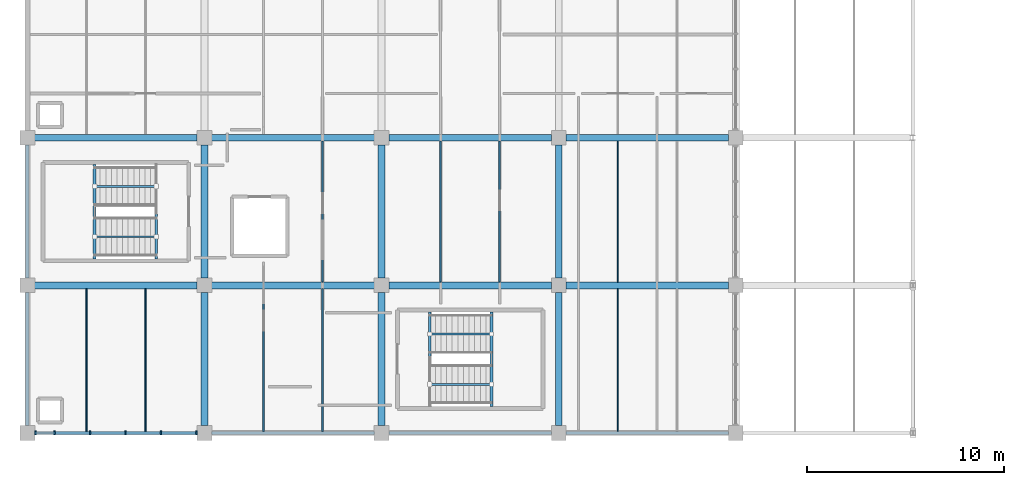
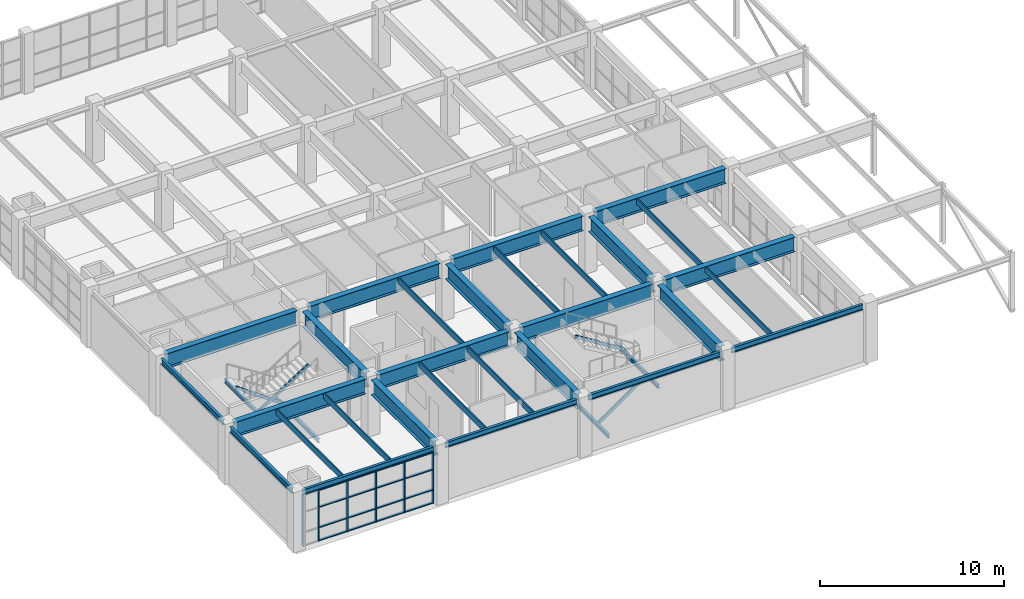
# One storey, part 11 of 76: 33 beams, 26 members, 1 element without a shape of its own.
"""IFC4 building model written with IfcOpenShell, lengths in metres."""

import ifcopenshell
import ifcopenshell.guid

model = None  # the IFC model being written
_history = None  # IfcOwnerHistory: only IFC2X3 demands one
_inside = {}  # id of a spatial element -> (the spatial element, [elements in it])
_under = {}  # id of a project, library or spatial element -> (it, [spatial elements below it])
_declared = {}  # id of a project -> (the project, [libraries it declares])
_typed = {}  # id of a type object -> (the type object, [elements of that type])
_made_of = {}  # id of a material, layer set ... -> (it, [elements and type objects made of it])


def new_model(schema):
    """Start an empty IFC model of exactly this schema.

    Asked for "IFC4X3", IfcOpenShell would pick the latest addendum, in which some entities
    have other attributes; the version numbers below select the first issue.
    IFC2X3 requires an IfcOwnerHistory on every rooted entity: one is made here for all.
    """
    global model, _history
    if schema == "IFC4X3":
        model = ifcopenshell.file(schema_version=(4, 3, 0, 0))
    else:
        model = ifcopenshell.file(schema=schema)
    _inside.clear()
    _under.clear()
    _declared.clear()
    _typed.clear()
    _made_of.clear()
    _history = None
    if model.schema == "IFC2X3":
        org = make("IfcOrganization", Name="unknown")
        user = make(
            "IfcPersonAndOrganization",
            ThePerson=make("IfcPerson", FamilyName="unknown"),
            TheOrganization=org,
        )
        app = make(
            "IfcApplication",
            ApplicationDeveloper=org,
            Version="unknown",
            ApplicationFullName="unknown",
            ApplicationIdentifier="unknown",
        )
        _history = make(
            "IfcOwnerHistory",
            OwningUser=user,
            OwningApplication=app,
            ChangeAction="ADDED",
            CreationDate=0,
        )
    return model


def make(cls, **values):
    """One entity of the class cls with the attributes given. An attribute that is None is left unset."""
    return model.create_entity(
        cls, **{name: value for name, value in values.items() if value is not None}
    )


def rooted(cls, **values):
    """An entity with a GlobalId (a new one), such as an element, a storey or a relation."""
    return make(cls, GlobalId=ifcopenshell.guid.new(), OwnerHistory=_history, **values)


def si_unit(unit_type, name, prefix=None):
    """IfcSIUnit, for example si_unit("LENGTHUNIT", "METRE", prefix="MILLI")."""
    return make("IfcSIUnit", UnitType=unit_type, Prefix=prefix, Name=name)


def assignment(units):
    """IfcUnitAssignment: the units of a project."""
    return None if units is None else make("IfcUnitAssignment", Units=units)


def point(xyz):
    """IfcCartesianPoint."""
    return None if xyz is None else make("IfcCartesianPoint", Coordinates=xyz)


def direction(xyz):
    """IfcDirection."""
    return None if xyz is None else make("IfcDirection", DirectionRatios=xyz)


def frame(location, z_axis=None, x_axis=None):
    """IfcAxis2Placement3D, a coordinate frame: its origin and axes. An axis left out is left unset."""
    return make(
        "IfcAxis2Placement3D",
        Location=point(location),
        Axis=direction(z_axis),
        RefDirection=direction(x_axis),
    )


def frame_2d(location, x_axis=None):
    """IfcAxis2Placement2D, a coordinate frame in the plane: its origin and x axis."""
    return make(
        "IfcAxis2Placement2D", Location=point(location), RefDirection=direction(x_axis)
    )


def origin():
    """The frame at (0, 0, 0) with its axes left unset."""
    return frame((0.0, 0.0, 0.0))


def origin_2d():
    """The frame at (0, 0) in the plane with its x axis left unset."""
    return frame_2d((0.0, 0.0))


def place(relative_to, where):
    """IfcLocalPlacement: puts the frame where relative to a parent placement (None: the world)."""
    return make(
        "IfcLocalPlacement", PlacementRelTo=relative_to, RelativePlacement=where
    )


def context(
    kind, dimensions, precision=None, world=None, true_north=None, identifier=None
):
    """IfcGeometricRepresentationContext, for example the 3D "Model" context."""
    return make(
        "IfcGeometricRepresentationContext",
        ContextIdentifier=identifier,
        ContextType=kind,
        CoordinateSpaceDimension=dimensions,
        Precision=precision,
        WorldCoordinateSystem=world,
        TrueNorth=true_north,
    )


def subcontext(parent, identifier, kind, view, scale=None):
    """IfcGeometricRepresentationSubContext, for example "Body" below "Model"."""
    return make(
        "IfcGeometricRepresentationSubContext",
        ContextIdentifier=identifier,
        ContextType=kind,
        ParentContext=parent,
        TargetScale=scale,
        TargetView=view,
    )


def project(units=None, contexts=None):
    """IfcProject with its units and contexts."""
    return rooted(
        "IfcProject",
        Name="project",
        RepresentationContexts=contexts,
        UnitsInContext=assignment(units),
    )


def spatial(cls, under=None, at=None, **own):
    """A site, building, storey or space (cls), placed at a placement, below another one or the project."""
    s = rooted(cls, ObjectPlacement=at, **own)
    if under is not None:
        _under.setdefault(under.id(), (under, []))[1].append(s)
    return s


def profile(cls, at=None, kind="AREA", **sizes):
    """A parametric profile (cls). Its sizes go by their IFC names, for example OverallWidth=200.0."""
    return make(cls, ProfileType=kind, Position=at, **sizes)


def rectangle(**sizes):
    """IfcRectangleProfileDef."""
    return profile("IfcRectangleProfileDef", **sizes)


def hollow_rectangle(**sizes):
    """IfcRectangleHollowProfileDef."""
    return profile("IfcRectangleHollowProfileDef", **sizes)


def i_section(**sizes):
    """IfcIShapeProfileDef."""
    return profile("IfcIShapeProfileDef", **sizes)


def extrude(swept, where, along, depth):
    """IfcExtrudedAreaSolid: the profile swept, set in the frame where, extruded along a direction by depth."""
    return make(
        "IfcExtrudedAreaSolid",
        SweptArea=swept,
        Position=where,
        ExtrudedDirection=direction(along),
        Depth=depth,
    )


def shape(context_of_items, identifier, shape_type, items):
    """IfcShapeRepresentation: the items that make up one representation, for example the "Body"."""
    return make(
        "IfcShapeRepresentation",
        ContextOfItems=context_of_items,
        RepresentationIdentifier=identifier,
        RepresentationType=shape_type,
        Items=items,
    )


def material(Name=None, Category=None):
    """IfcMaterial."""
    return make("IfcMaterial", Name=Name, Category=Category)


def layer(
    of_material, thickness, ventilated=None, Name=None, Category=None, Priority=None
):
    """IfcMaterialLayer: one layer of a wall or slab, of a material (None: an air gap)."""
    return make(
        "IfcMaterialLayer",
        Material=of_material,
        LayerThickness=thickness,
        IsVentilated=ventilated,
        Name=Name,
        Category=Category,
        Priority=Priority,
    )


def layer_set(layers, Name=None):
    """IfcMaterialLayerSet."""
    return make("IfcMaterialLayerSet", MaterialLayers=layers, LayerSetName=Name)


def material_profile(
    of_material, cross_section, Name=None, Category=None, Priority=None
):
    """IfcMaterialProfile: a cross section and its material."""
    return make(
        "IfcMaterialProfile",
        Name=Name,
        Material=of_material,
        Profile=cross_section,
        Priority=Priority,
        Category=Category,
    )


def profile_set(profiles, Name=None, composite=None):
    """IfcMaterialProfileSet."""
    return make(
        "IfcMaterialProfileSet",
        Name=Name,
        MaterialProfiles=profiles,
        CompositeProfile=composite,
    )


def made_of(thing, what):
    """Note that an element or type object is made of a material, layer set ...; save() writes the relation."""
    if what is not None:
        _made_of.setdefault(what.id(), (what, []))[1].append(thing)
    return thing


def type_object(cls, material=None, **own):
    """A type object (cls), such as IfcWallType, which elements share."""
    return made_of(rooted(cls, **own), material)


def element(
    cls,
    number,
    at=None,
    inside=None,
    cuts=None,
    type_object=None,
    material=None,
    context=None,
    identifier="Body",
    shape_type=None,
    held_by="IfcProductDefinitionShape",
    body=None,
    shapes=None,
    **own,
):
    """One element of the class cls, such as IfcWall. Its Tag is "e" and its number.

    at: its placement. inside: the storey or other place that contains it. cuts: it is an
    opening in that element (IfcRelVoidsElement). A single representation is given by context,
    identifier, shape_type and body (its items); several are given by shapes. held_by: the class
    of the entity that holds the representations. save() writes the other relations.
    """
    e = rooted(cls, Tag="e%d" % number, ObjectPlacement=at, **own)
    if body is not None:
        shapes = [shape(context, identifier, shape_type, body)]
    if shapes is not None:
        e.Representation = make(held_by, Representations=shapes)
    if inside is not None:
        _inside.setdefault(inside.id(), (inside, []))[1].append(e)
    if cuts is not None:
        rooted(
            "IfcRelVoidsElement", RelatingBuildingElement=cuts, RelatedOpeningElement=e
        )
    if type_object is not None:
        _typed.setdefault(type_object.id(), (type_object, []))[1].append(e)
    return made_of(e, material)


def aggregate(whole, parts):
    """IfcRelAggregates: a whole, such as a stair, and the parts it consists of."""
    return rooted("IfcRelAggregates", RelatingObject=whole, RelatedObjects=parts)


def save(model, path):
    """Write the relations noted so far, then the file.

    IfcRelAggregates (storeys below a building ...), IfcRelContainedInSpatialStructure (elements
    in a storey), IfcRelDefinesByType, IfcRelAssociatesMaterial and IfcRelDeclares: one each for
    every whole, place, type object, material and project.
    """
    for whole, parts in _under.values():
        aggregate(whole, parts)
    for where, things in _inside.values():
        rooted(
            "IfcRelContainedInSpatialStructure",
            RelatedElements=things,
            RelatingStructure=where,
        )
    for kind, things in _typed.values():
        rooted("IfcRelDefinesByType", RelatedObjects=things, RelatingType=kind)
    for what, things in _made_of.values():
        rooted("IfcRelAssociatesMaterial", RelatedObjects=things, RelatingMaterial=what)
    for by, libraries in _declared.values():
        rooted("IfcRelDeclares", RelatingContext=by, RelatedDefinitions=libraries)
    model.write(path)


model = new_model("IFC4")

# Units and contexts
model_context = context("Model", 3, precision=1e-05, world=origin(), true_north=direction((0.0, 1.0)))
body_context = subcontext(model_context, "Body", "Model", "MODEL_VIEW")
ifc_project = project(units=[si_unit("LENGTHUNIT", "METRE"), si_unit("AREAUNIT", "SQUARE_METRE"), si_unit("VOLUMEUNIT", "CUBIC_METRE"), si_unit("PLANEANGLEUNIT", "RADIAN"), si_unit("MASSUNIT", "GRAM", prefix="KILO")], contexts=[model_context])

# Site, building, storey
site_placement = place(None, origin())
site = spatial("IfcSite", under=ifc_project, at=site_placement, CompositionType="ELEMENT")
building_placement = place(site_placement, origin())
building = spatial("IfcBuilding", under=site, at=building_placement, Name="Marnridge Secondary College", CompositionType="ELEMENT")
storey_placement = place(building_placement, frame((0.0, 0.0, 4.5)))
storey = spatial("IfcBuildingStorey", under=building, at=storey_placement, Name="L01", CompositionType="ELEMENT", Elevation=4.5)

# Beams
ifc_material_1 = material(Name="Engineered timber LVL E13.2", Category="wood")
ifc_material_profile_1 = material_profile(ifc_material_1, rectangle(XDim=0.074951171875, YDim=0.39990234375, at=origin_2d()), Name="LVL 75x400")
ifc_profile_set_1 = profile_set([ifc_material_profile_1], Name="Engineered timber LVL E13.2")
beam_type_1 = type_object("IfcBeamType", Name="BM-LVL400-INT", PredefinedType="JOIST", material=ifc_profile_set_1)
for number, where, z_axis, x_axis, name in (
    (1, (3.0, 0.07958984375, 3.570068359375), (0.0, 1.0, 0.0), (-1.0, 0.0, 0.0), "Beam BJ-L01-0713"),
    (2, (6.0, 0.07958984375, 3.570068359375), (0.0, 1.0, 0.0), (-1.0, 0.0, 0.0), "Beam BJ-L01-0714"),
    (3, (12.0, 0.07958984375, 3.570068359375), (0.0, 1.0, 0.0), (-1.0, 0.0, 0.0), "Beam BJ-L01-0719"),
    (4, (15.0, 0.07958984375, 3.570068359375), (0.0, 1.0, 0.0), (-1.0, 0.0, 0.0), "Beam BJ-L01-0720"),
):
    element("IfcBeam", number, at=place(storey_placement, frame(where, z_axis=z_axis, x_axis=x_axis)), inside=storey, type_object=beam_type_1, Name=name, PredefinedType="JOIST", context=body_context, shape_type="SweptSolid", body=[
        extrude(rectangle(XDim=0.074951171875, YDim=0.39990234375, at=origin_2d()), origin(), (0.0, 0.0, 1.0), 7.25146484375),
    ])
for number, where, z_axis, x_axis, name in (
    (5, (15.0, 7.6689453125, 3.570068359375), (0.0, 1.0, 0.0), (-1.0, 0.0, 0.0), "Beam BJ-L01-0721"),
    (6, (21.0, 7.6689453125, 3.570068359375), (0.0, 1.0, 0.0), (-1.0, 0.0, 0.0), "Beam BJ-L01-0726"),
    (7, (24.0, 7.6689453125, 3.570068359375), (0.0, 1.0, 0.0), (-1.0, 0.0, 0.0), "Beam BJ-L01-0727"),
):
    element("IfcBeam", number, at=place(storey_placement, frame(where, z_axis=z_axis, x_axis=x_axis)), inside=storey, type_object=beam_type_1, Name=name, PredefinedType="JOIST", context=body_context, shape_type="SweptSolid", body=[
        extrude(rectangle(XDim=0.074951171875, YDim=0.39990234375, at=origin_2d()), origin(), (0.0, 0.0, 1.0), 7.162109375),
    ])
beam_1_placement = place(storey_placement, frame((30.0, 0.07958984375, 3.570068359375), z_axis=(0.0, 1.0, 0.0), x_axis=(-1.0, 0.0, 0.0)))
element("IfcBeam", 8, at=beam_1_placement, inside=storey, type_object=beam_type_1, Name="Beam BJ-L01-0732", PredefinedType="JOIST", context=body_context, shape_type="SweptSolid", body=[
    extrude(rectangle(XDim=0.074951171875, YDim=0.39990234375, at=origin_2d()), origin(), (0.0, 0.0, 1.0), 7.25146484375),
])
beam_2_placement = place(storey_placement, frame((30.0, 7.6689453125, 3.570068359375), z_axis=(0.0, 1.0, 0.0), x_axis=(-1.0, 0.0, 0.0)))
element("IfcBeam", 9, at=beam_2_placement, inside=storey, type_object=beam_type_1, Name="Beam BJ-L01-0734", PredefinedType="JOIST", context=body_context, shape_type="SweptSolid", body=[
    extrude(rectangle(XDim=0.074951171875, YDim=0.39990234375, at=origin_2d()), origin(), (0.0, 0.0, 1.0), 7.162109375),
])
ifc_material_2 = material(Name="Structural steel Grade 350 (AS/NZS 3679.1/.2, fy = 340-360 MPa)", Category="steel")
ifc_material_profile_2 = material_profile(ifc_material_2, i_section(OverallWidth=0.146240234375, OverallDepth=0.256103515625, WebThickness=0.00634765625, FlangeThickness=0.010986328125, FilletRadius=0.0087890625, at=origin_2d()), Name="250UB37.3")
ifc_profile_set_2 = profile_set([ifc_material_profile_2], Name="Structural steel Grade 350 (AS/NZS 3679.1/.2, fy = 340-360 MPa)")
beam_type_2 = type_object("IfcBeamType", Name="BM-UB250-EXT", PredefinedType="LINTEL", material=ifc_profile_set_2)
for number, where, z_axis, x_axis, name in (
    (10, (6.550048828125, 8.842041015625, -0.5380859375), (0.0, 1.0, 0.0), (-1.0, 0.0, 0.0), "Stair landing trimmer beam BT-L01-022"),
    (11, (3.4150390625, 8.842041015625, 1.671875), (0.0, 1.0, 0.0), (-1.0, 0.0, 0.0), "Stair landing trimmer beam BT-L01-023"),
    (12, (20.449951171875, 1.342041015625, -0.5380859375), (0.0, 1.0, 0.0), (-1.0, 0.0, 0.0), "Stair landing trimmer beam BT-L01-030"),
    (13, (23.5849609375, 1.342041015625, 1.671875), (0.0, 1.0, 0.0), (-1.0, 0.0, 0.0), "Stair landing trimmer beam BT-L01-031"),
):
    element("IfcBeam", number, at=place(storey_placement, frame(where, z_axis=z_axis, x_axis=x_axis)), inside=storey, type_object=beam_type_2, Name=name, PredefinedType="LINTEL", context=body_context, shape_type="SweptSolid", body=[
        extrude(i_section(OverallWidth=0.146240234375, OverallDepth=0.256103515625, WebThickness=0.00634765625, FlangeThickness=0.010986328125, FilletRadius=0.0087890625, at=origin_2d()), origin(), (0.0, 0.0, 1.0), 4.802978515625),
    ])
ifc_material_3 = material(Name="Structural steel Grade 350 (AS/NZS 3679.1/.2, fy = 340-360 MPa)", Category="steel")
ifc_material_profile_3 = material_profile(ifc_material_3, i_section(OverallWidth=0.1708984375, OverallDepth=0.35205078125, WebThickness=0.0068359375, FlangeThickness=0.009765625, FilletRadius=0.011474609375, at=origin_2d()), Name="360UB44.7")
ifc_profile_set_3 = profile_set([ifc_material_profile_3], Name="Structural steel Grade 350 (AS/NZS 3679.1/.2, fy = 340-360 MPa)")
beam_type_3 = type_object("IfcBeamType", Name="BM-UB360-EXT", PredefinedType="SPANDREL", material=ifc_profile_set_3)
beam_3_placement = place(storey_placement, frame((0.368896484375, 0.0, 3.593994140625), z_axis=(1.0, 0.0, 0.0), x_axis=(0.0, 1.0, 0.0)))
element("IfcBeam", 14, at=beam_3_placement, inside=storey, type_object=beam_type_3, Name="Beam BS-L01-0655", PredefinedType="SPANDREL", context=body_context, shape_type="SweptSolid", body=[
    extrude(i_section(OverallWidth=0.1708984375, OverallDepth=0.35205078125, WebThickness=0.0068359375, FlangeThickness=0.009765625, FilletRadius=0.011474609375, at=origin_2d()), origin(), (0.0, 0.0, 1.0), 8.26220703125),
])
for number, where, z_axis, x_axis, name in (
    (15, (0.0, 0.368896484375, 3.593994140625), (0.0, 1.0, 0.0), (-1.0, 0.0, 0.0), "Beam BS-L01-0657"),
    (16, (0.0, 7.868896484375, 3.593994140625), (0.0, 1.0, 0.0), (-1.0, 0.0, 0.0), "Beam BS-L01-0660"),
):
    element("IfcBeam", number, at=place(storey_placement, frame(where, z_axis=z_axis, x_axis=x_axis)), inside=storey, type_object=beam_type_3, Name=name, PredefinedType="SPANDREL", context=body_context, shape_type="SweptSolid", body=[
        extrude(i_section(OverallWidth=0.1708984375, OverallDepth=0.35205078125, WebThickness=0.0068359375, FlangeThickness=0.009765625, FilletRadius=0.011474609375, at=origin_2d()), origin(), (0.0, 0.0, 1.0), 6.76220703125),
    ])
for number, where, z_axis, x_axis, name in (
    (17, (9.368896484375, 0.0, 3.593994140625), (1.0, 0.0, 0.0), (0.0, 1.0, 0.0), "Beam BS-L01-0668"),
    (18, (18.368896484375, 0.0, 3.593994140625), (1.0, 0.0, 0.0), (0.0, 1.0, 0.0), "Beam BS-L01-0677"),
    (19, (27.368896484375, 0.0, 3.593994140625), (1.0, 0.0, 0.0), (0.0, 1.0, 0.0), "Beam BS-L01-0686"),
):
    element("IfcBeam", number, at=place(storey_placement, frame(where, z_axis=z_axis, x_axis=x_axis)), inside=storey, type_object=beam_type_3, Name=name, PredefinedType="SPANDREL", context=body_context, shape_type="SweptSolid", body=[
        extrude(i_section(OverallWidth=0.1708984375, OverallDepth=0.35205078125, WebThickness=0.0068359375, FlangeThickness=0.009765625, FilletRadius=0.011474609375, at=origin_2d()), origin(), (0.0, 0.0, 1.0), 8.26220703125),
    ])
ifc_material_4 = material(Name="Structural steel Grade 350 (AS/NZS 3679.1/.2, fy = 340-360 MPa)", Category="steel")
ifc_material_profile_4 = material_profile(ifc_material_4, i_section(OverallWidth=0.35009765625, OverallDepth=0.989990234375, WebThickness=0.01611328125, FlangeThickness=0.02490234375, at=origin_2d()), Name="1000WB258")
ifc_profile_set_4 = profile_set([ifc_material_profile_4], Name="Structural steel Grade 350 (AS/NZS 3679.1/.2, fy = 340-360 MPa)")
beam_type_4 = type_object("IfcBeamType", Name="BM-WB1000-INT", PredefinedType="BEAM", material=ifc_profile_set_4)
beam_4_placement = place(storey_placement, frame((0.368896484375, 7.5, 3.27490234375), z_axis=(1.0, 0.0, 0.0), x_axis=(0.0, 1.0, 0.0)))
element("IfcBeam", 20, at=beam_4_placement, inside=storey, type_object=beam_type_4, Name="Beam B-L01-0656", PredefinedType="BEAM", context=body_context, shape_type="SweptSolid", body=[
    extrude(i_section(OverallWidth=0.35009765625, OverallDepth=0.989990234375, WebThickness=0.01611328125, FlangeThickness=0.02490234375, at=origin_2d()), origin(), (0.0, 0.0, 1.0), 8.26220703125),
])
beam_5_placement = place(storey_placement, frame((9.0, 0.368896484375, 3.27490234375), z_axis=(0.0, 1.0, 0.0), x_axis=(-1.0, 0.0, 0.0)))
element("IfcBeam", 21, at=beam_5_placement, inside=storey, type_object=beam_type_4, Name="Beam B-L01-0658", PredefinedType="BEAM", context=body_context, shape_type="SweptSolid", body=[
    extrude(i_section(OverallWidth=0.35009765625, OverallDepth=0.989990234375, WebThickness=0.01611328125, FlangeThickness=0.02490234375, at=origin_2d()), origin(), (0.0, 0.0, 1.0), 6.76220703125),
])
beam_6_placement = place(storey_placement, frame((0.368896484375, 15.0, 3.27490234375), z_axis=(1.0, 0.0, 0.0), x_axis=(0.0, 1.0, 0.0)))
element("IfcBeam", 22, at=beam_6_placement, inside=storey, type_object=beam_type_4, Name="Beam B-L01-0659", PredefinedType="BEAM", context=body_context, shape_type="SweptSolid", body=[
    extrude(i_section(OverallWidth=0.35009765625, OverallDepth=0.989990234375, WebThickness=0.01611328125, FlangeThickness=0.02490234375, at=origin_2d()), origin(), (0.0, 0.0, 1.0), 8.26220703125),
])
beam_7_placement = place(storey_placement, frame((9.0, 7.868896484375, 3.27490234375), z_axis=(0.0, 1.0, 0.0), x_axis=(-1.0, 0.0, 0.0)))
element("IfcBeam", 23, at=beam_7_placement, inside=storey, type_object=beam_type_4, Name="Beam B-L01-0661", PredefinedType="BEAM", context=body_context, shape_type="SweptSolid", body=[
    extrude(i_section(OverallWidth=0.35009765625, OverallDepth=0.989990234375, WebThickness=0.01611328125, FlangeThickness=0.02490234375, at=origin_2d()), origin(), (0.0, 0.0, 1.0), 6.76220703125),
])
beam_8_placement = place(storey_placement, frame((9.368896484375, 7.5, 3.27490234375), z_axis=(1.0, 0.0, 0.0), x_axis=(0.0, 1.0, 0.0)))
element("IfcBeam", 24, at=beam_8_placement, inside=storey, type_object=beam_type_4, Name="Beam B-L01-0669", PredefinedType="BEAM", context=body_context, shape_type="SweptSolid", body=[
    extrude(i_section(OverallWidth=0.35009765625, OverallDepth=0.989990234375, WebThickness=0.01611328125, FlangeThickness=0.02490234375, at=origin_2d()), origin(), (0.0, 0.0, 1.0), 8.26220703125),
])
beam_9_placement = place(storey_placement, frame((18.0, 0.368896484375, 3.27490234375), z_axis=(0.0, 1.0, 0.0), x_axis=(-1.0, 0.0, 0.0)))
element("IfcBeam", 25, at=beam_9_placement, inside=storey, type_object=beam_type_4, Name="Beam B-L01-0670", PredefinedType="BEAM", context=body_context, shape_type="SweptSolid", body=[
    extrude(i_section(OverallWidth=0.35009765625, OverallDepth=0.989990234375, WebThickness=0.01611328125, FlangeThickness=0.02490234375, at=origin_2d()), origin(), (0.0, 0.0, 1.0), 6.76220703125),
])
beam_10_placement = place(storey_placement, frame((9.368896484375, 15.0, 3.27490234375), z_axis=(1.0, 0.0, 0.0), x_axis=(0.0, 1.0, 0.0)))
element("IfcBeam", 26, at=beam_10_placement, inside=storey, type_object=beam_type_4, Name="Beam B-L01-0671", PredefinedType="BEAM", context=body_context, shape_type="SweptSolid", body=[
    extrude(i_section(OverallWidth=0.35009765625, OverallDepth=0.989990234375, WebThickness=0.01611328125, FlangeThickness=0.02490234375, at=origin_2d()), origin(), (0.0, 0.0, 1.0), 8.26220703125),
])
beam_11_placement = place(storey_placement, frame((18.0, 7.868896484375, 3.27490234375), z_axis=(0.0, 1.0, 0.0), x_axis=(-1.0, 0.0, 0.0)))
element("IfcBeam", 27, at=beam_11_placement, inside=storey, type_object=beam_type_4, Name="Beam B-L01-0672", PredefinedType="BEAM", context=body_context, shape_type="SweptSolid", body=[
    extrude(i_section(OverallWidth=0.35009765625, OverallDepth=0.989990234375, WebThickness=0.01611328125, FlangeThickness=0.02490234375, at=origin_2d()), origin(), (0.0, 0.0, 1.0), 6.76220703125),
])
beam_12_placement = place(storey_placement, frame((18.368896484375, 7.5, 3.27490234375), z_axis=(1.0, 0.0, 0.0), x_axis=(0.0, 1.0, 0.0)))
element("IfcBeam", 28, at=beam_12_placement, inside=storey, type_object=beam_type_4, Name="Beam B-L01-0678", PredefinedType="BEAM", context=body_context, shape_type="SweptSolid", body=[
    extrude(i_section(OverallWidth=0.35009765625, OverallDepth=0.989990234375, WebThickness=0.01611328125, FlangeThickness=0.02490234375, at=origin_2d()), origin(), (0.0, 0.0, 1.0), 8.26220703125),
])
beam_13_placement = place(storey_placement, frame((27.0, 0.368896484375, 3.27490234375), z_axis=(0.0, 1.0, 0.0), x_axis=(-1.0, 0.0, 0.0)))
element("IfcBeam", 29, at=beam_13_placement, inside=storey, type_object=beam_type_4, Name="Beam B-L01-0679", PredefinedType="BEAM", context=body_context, shape_type="SweptSolid", body=[
    extrude(i_section(OverallWidth=0.35009765625, OverallDepth=0.989990234375, WebThickness=0.01611328125, FlangeThickness=0.02490234375, at=origin_2d()), origin(), (0.0, 0.0, 1.0), 6.76220703125),
])
beam_14_placement = place(storey_placement, frame((18.368896484375, 15.0, 3.27490234375), z_axis=(1.0, 0.0, 0.0), x_axis=(0.0, 1.0, 0.0)))
element("IfcBeam", 30, at=beam_14_placement, inside=storey, type_object=beam_type_4, Name="Beam B-L01-0680", PredefinedType="BEAM", context=body_context, shape_type="SweptSolid", body=[
    extrude(i_section(OverallWidth=0.35009765625, OverallDepth=0.989990234375, WebThickness=0.01611328125, FlangeThickness=0.02490234375, at=origin_2d()), origin(), (0.0, 0.0, 1.0), 8.26220703125),
])
beam_15_placement = place(storey_placement, frame((27.0, 7.868896484375, 3.27490234375), z_axis=(0.0, 1.0, 0.0), x_axis=(-1.0, 0.0, 0.0)))
element("IfcBeam", 31, at=beam_15_placement, inside=storey, type_object=beam_type_4, Name="Beam B-L01-0681", PredefinedType="BEAM", context=body_context, shape_type="SweptSolid", body=[
    extrude(i_section(OverallWidth=0.35009765625, OverallDepth=0.989990234375, WebThickness=0.01611328125, FlangeThickness=0.02490234375, at=origin_2d()), origin(), (0.0, 0.0, 1.0), 6.76220703125),
])
for number, where, z_axis, x_axis, name in (
    (32, (27.368896484375, 7.5, 3.27490234375), (1.0, 0.0, 0.0), (0.0, 1.0, 0.0), "Beam B-L01-0687"),
    (33, (27.368896484375, 15.0, 3.27490234375), (1.0, 0.0, 0.0), (0.0, 1.0, 0.0), "Beam B-L01-0689"),
):
    element("IfcBeam", number, at=place(storey_placement, frame(where, z_axis=z_axis, x_axis=x_axis)), inside=storey, type_object=beam_type_4, Name=name, PredefinedType="BEAM", context=body_context, shape_type="SweptSolid", body=[
        extrude(i_section(OverallWidth=0.35009765625, OverallDepth=0.989990234375, WebThickness=0.01611328125, FlangeThickness=0.02490234375, at=origin_2d()), origin(), (0.0, 0.0, 1.0), 8.26220703125),
    ])

# Curtain wall, members
ifc_material_5 = material(Name="Bronze-anodised aluminium and solar-control glazing", Category="aluminium")
ifc_layer = layer(ifc_material_5, 0.199951171875)
ifc_layer_set = layer_set([ifc_layer], Name="CW-MOD-1800")
curtain_wall_type = type_object("IfcCurtainWallType", Name="CW-MOD-1800", PredefinedType="NOTDEFINED", material=ifc_layer_set)
curtain_wall_placement = place(storey_placement, origin())
curtain_wall = element("IfcCurtainWall", 34, at=curtain_wall_placement, inside=storey, type_object=curtain_wall_type, Name="Unitised curtain wall CW-L01-069", PredefinedType="NOTDEFINED")
ifc_material_6 = material(Name="Bronze-anodised aluminium 6063-T6", Category="aluminium")
ifc_material_profile_5 = material_profile(ifc_material_6, rectangle(XDim=0.070068359375, YDim=0.199951171875, at=origin_2d()), Name="ALU 70x200")
ifc_profile_set_5 = profile_set([ifc_material_profile_5], Name="Bronze-anodised aluminium 6063-T6")
member_type_1 = type_object("IfcMemberType", Name="CWM-ALU200", PredefinedType="MULLION", material=ifc_profile_set_5)
member_1_placement = place(storey_placement, frame((8.5859375, 0.0, 0.0), z_axis=(0.0, 0.0, 1.0), x_axis=(-1.0, 0.0, 0.0)))
member_1 = element("IfcMember", 35, at=member_1_placement, type_object=member_type_1, Name="CW-L01-069 mullion 1", PredefinedType="MULLION", context=body_context, shape_type="SweptSolid", body=[
    extrude(rectangle(XDim=0.070068359375, YDim=0.199951171875, at=origin_2d()), origin(), (0.0, 0.0, 1.0), 3.409912109375),
])
member_2_placement = place(storey_placement, frame((6.785888671875, 0.0, 0.0), z_axis=(0.0, 0.0, 1.0), x_axis=(-1.0, 0.0, 0.0)))
member_2 = element("IfcMember", 36, at=member_2_placement, type_object=member_type_1, Name="CW-L01-069 mullion 2", PredefinedType="MULLION", context=body_context, shape_type="SweptSolid", body=[
    extrude(rectangle(XDim=0.070068359375, YDim=0.199951171875, at=origin_2d()), origin(), (0.0, 0.0, 1.0), 3.409912109375),
])
member_3_placement = place(storey_placement, frame((4.986083984375, 0.0, 0.0), z_axis=(0.0, 0.0, 1.0), x_axis=(-1.0, 0.0, 0.0)))
member_3 = element("IfcMember", 37, at=member_3_placement, type_object=member_type_1, Name="CW-L01-069 mullion 3", PredefinedType="MULLION", context=body_context, shape_type="SweptSolid", body=[
    extrude(rectangle(XDim=0.070068359375, YDim=0.199951171875, at=origin_2d()), origin(), (0.0, 0.0, 1.0), 3.409912109375),
])
member_4_placement = place(storey_placement, frame((3.18603515625, 0.0, 0.0), z_axis=(0.0, 0.0, 1.0), x_axis=(-1.0, 0.0, 0.0)))
member_4 = element("IfcMember", 38, at=member_4_placement, type_object=member_type_1, Name="CW-L01-069 mullion 4", PredefinedType="MULLION", context=body_context, shape_type="SweptSolid", body=[
    extrude(rectangle(XDim=0.070068359375, YDim=0.199951171875, at=origin_2d()), origin(), (0.0, 0.0, 1.0), 3.409912109375),
])
member_5_placement = place(storey_placement, frame((1.385986328125, 0.0, 0.0), z_axis=(0.0, 0.0, 1.0), x_axis=(-1.0, 0.0, 0.0)))
member_5 = element("IfcMember", 39, at=member_5_placement, type_object=member_type_1, Name="CW-L01-069 mullion 5", PredefinedType="MULLION", context=body_context, shape_type="SweptSolid", body=[
    extrude(rectangle(XDim=0.070068359375, YDim=0.199951171875, at=origin_2d()), origin(), (0.0, 0.0, 1.0), 3.409912109375),
])
member_6_placement = place(storey_placement, frame((0.4140625, 0.0, 0.0), z_axis=(0.0, 0.0, 1.0), x_axis=(-1.0, 0.0, 0.0)))
member_6 = element("IfcMember", 40, at=member_6_placement, type_object=member_type_1, Name="CW-L01-069 mullion 6", PredefinedType="MULLION", context=body_context, shape_type="SweptSolid", body=[
    extrude(rectangle(XDim=0.070068359375, YDim=0.199951171875, at=origin_2d()), origin(), (0.0, 0.0, 1.0), 3.409912109375),
])
ifc_material_7 = material(Name="Anodised aluminium 6063-T6", Category="aluminium")
ifc_material_profile_6 = material_profile(ifc_material_7, rectangle(XDim=0.06494140625, YDim=0.139892578125, at=origin_2d()), Name="ALU 65x140")
ifc_profile_set_6 = profile_set([ifc_material_profile_6], Name="Anodised aluminium 6063-T6")
member_type_2 = type_object("IfcMemberType", Name="CWT-ALU140", PredefinedType="USERDEFINED", material=ifc_profile_set_6)
member_7_placement = place(storey_placement, frame((8.551025390625, 0.0, 0.032470703125), z_axis=(-1.0, 0.0, 0.0), x_axis=(0.0, 0.0, 1.0)))
member_7 = element("IfcMember", 41, at=member_7_placement, type_object=member_type_2, Name="CW-L01-069 transom 1.1", ObjectType="TRANSOM", PredefinedType="USERDEFINED", context=body_context, shape_type="SweptSolid", body=[
    extrude(rectangle(XDim=0.06494140625, YDim=0.139892578125, at=origin_2d()), origin(), (0.0, 0.0, 1.0), 1.72998046875),
])
member_8_placement = place(storey_placement, frame((8.551025390625, 0.0, 0.89990234375), z_axis=(-1.0, 0.0, 0.0), x_axis=(0.0, 0.0, 1.0)))
member_8 = element("IfcMember", 42, at=member_8_placement, type_object=member_type_2, Name="CW-L01-069 transom 1.2", ObjectType="TRANSOM", PredefinedType="USERDEFINED", context=body_context, shape_type="SweptSolid", body=[
    extrude(rectangle(XDim=0.06494140625, YDim=0.139892578125, at=origin_2d()), origin(), (0.0, 0.0, 1.0), 1.72998046875),
])
member_9_placement = place(storey_placement, frame((8.551025390625, 0.0, 2.25), z_axis=(-1.0, 0.0, 0.0), x_axis=(0.0, 0.0, 1.0)))
member_9 = element("IfcMember", 43, at=member_9_placement, type_object=member_type_2, Name="CW-L01-069 transom 1.3", ObjectType="TRANSOM", PredefinedType="USERDEFINED", context=body_context, shape_type="SweptSolid", body=[
    extrude(rectangle(XDim=0.06494140625, YDim=0.139892578125, at=origin_2d()), origin(), (0.0, 0.0, 1.0), 1.72998046875),
])
member_10_placement = place(storey_placement, frame((8.551025390625, 0.0, 3.37744140625), z_axis=(-1.0, 0.0, 0.0), x_axis=(0.0, 0.0, 1.0)))
member_10 = element("IfcMember", 44, at=member_10_placement, type_object=member_type_2, Name="CW-L01-069 transom 1.4", ObjectType="TRANSOM", PredefinedType="USERDEFINED", context=body_context, shape_type="SweptSolid", body=[
    extrude(rectangle(XDim=0.06494140625, YDim=0.139892578125, at=origin_2d()), origin(), (0.0, 0.0, 1.0), 1.72998046875),
])
member_11_placement = place(storey_placement, frame((6.7509765625, 0.0, 0.032470703125), z_axis=(-1.0, 0.0, 0.0), x_axis=(0.0, 0.0, 1.0)))
member_11 = element("IfcMember", 45, at=member_11_placement, type_object=member_type_2, Name="CW-L01-069 transom 2.1", ObjectType="TRANSOM", PredefinedType="USERDEFINED", context=body_context, shape_type="SweptSolid", body=[
    extrude(rectangle(XDim=0.06494140625, YDim=0.139892578125, at=origin_2d()), origin(), (0.0, 0.0, 1.0), 1.72998046875),
])
member_12_placement = place(storey_placement, frame((6.7509765625, 0.0, 0.89990234375), z_axis=(-1.0, 0.0, 0.0), x_axis=(0.0, 0.0, 1.0)))
member_12 = element("IfcMember", 46, at=member_12_placement, type_object=member_type_2, Name="CW-L01-069 transom 2.2", ObjectType="TRANSOM", PredefinedType="USERDEFINED", context=body_context, shape_type="SweptSolid", body=[
    extrude(rectangle(XDim=0.06494140625, YDim=0.139892578125, at=origin_2d()), origin(), (0.0, 0.0, 1.0), 1.72998046875),
])
member_13_placement = place(storey_placement, frame((6.7509765625, 0.0, 2.25), z_axis=(-1.0, 0.0, 0.0), x_axis=(0.0, 0.0, 1.0)))
member_13 = element("IfcMember", 47, at=member_13_placement, type_object=member_type_2, Name="CW-L01-069 transom 2.3", ObjectType="TRANSOM", PredefinedType="USERDEFINED", context=body_context, shape_type="SweptSolid", body=[
    extrude(rectangle(XDim=0.06494140625, YDim=0.139892578125, at=origin_2d()), origin(), (0.0, 0.0, 1.0), 1.72998046875),
])
member_14_placement = place(storey_placement, frame((6.7509765625, 0.0, 3.37744140625), z_axis=(-1.0, 0.0, 0.0), x_axis=(0.0, 0.0, 1.0)))
member_14 = element("IfcMember", 48, at=member_14_placement, type_object=member_type_2, Name="CW-L01-069 transom 2.4", ObjectType="TRANSOM", PredefinedType="USERDEFINED", context=body_context, shape_type="SweptSolid", body=[
    extrude(rectangle(XDim=0.06494140625, YDim=0.139892578125, at=origin_2d()), origin(), (0.0, 0.0, 1.0), 1.72998046875),
])
member_15_placement = place(storey_placement, frame((4.950927734375, 0.0, 0.032470703125), z_axis=(-1.0, 0.0, 0.0), x_axis=(0.0, 0.0, 1.0)))
member_15 = element("IfcMember", 49, at=member_15_placement, type_object=member_type_2, Name="CW-L01-069 transom 3.1", ObjectType="TRANSOM", PredefinedType="USERDEFINED", context=body_context, shape_type="SweptSolid", body=[
    extrude(rectangle(XDim=0.06494140625, YDim=0.139892578125, at=origin_2d()), origin(), (0.0, 0.0, 1.0), 1.72998046875),
])
member_16_placement = place(storey_placement, frame((4.950927734375, 0.0, 0.89990234375), z_axis=(-1.0, 0.0, 0.0), x_axis=(0.0, 0.0, 1.0)))
member_16 = element("IfcMember", 50, at=member_16_placement, type_object=member_type_2, Name="CW-L01-069 transom 3.2", ObjectType="TRANSOM", PredefinedType="USERDEFINED", context=body_context, shape_type="SweptSolid", body=[
    extrude(rectangle(XDim=0.06494140625, YDim=0.139892578125, at=origin_2d()), origin(), (0.0, 0.0, 1.0), 1.72998046875),
])
member_17_placement = place(storey_placement, frame((4.950927734375, 0.0, 2.25), z_axis=(-1.0, 0.0, 0.0), x_axis=(0.0, 0.0, 1.0)))
member_17 = element("IfcMember", 51, at=member_17_placement, type_object=member_type_2, Name="CW-L01-069 transom 3.3", ObjectType="TRANSOM", PredefinedType="USERDEFINED", context=body_context, shape_type="SweptSolid", body=[
    extrude(rectangle(XDim=0.06494140625, YDim=0.139892578125, at=origin_2d()), origin(), (0.0, 0.0, 1.0), 1.72998046875),
])
member_18_placement = place(storey_placement, frame((4.950927734375, 0.0, 3.37744140625), z_axis=(-1.0, 0.0, 0.0), x_axis=(0.0, 0.0, 1.0)))
member_18 = element("IfcMember", 52, at=member_18_placement, type_object=member_type_2, Name="CW-L01-069 transom 3.4", ObjectType="TRANSOM", PredefinedType="USERDEFINED", context=body_context, shape_type="SweptSolid", body=[
    extrude(rectangle(XDim=0.06494140625, YDim=0.139892578125, at=origin_2d()), origin(), (0.0, 0.0, 1.0), 1.72998046875),
])
member_19_placement = place(storey_placement, frame((3.15087890625, 0.0, 0.032470703125), z_axis=(-1.0, 0.0, 0.0), x_axis=(0.0, 0.0, 1.0)))
member_19 = element("IfcMember", 53, at=member_19_placement, type_object=member_type_2, Name="CW-L01-069 transom 4.1", ObjectType="TRANSOM", PredefinedType="USERDEFINED", context=body_context, shape_type="SweptSolid", body=[
    extrude(rectangle(XDim=0.06494140625, YDim=0.139892578125, at=origin_2d()), origin(), (0.0, 0.0, 1.0), 1.72998046875),
])
member_20_placement = place(storey_placement, frame((3.15087890625, 0.0, 0.89990234375), z_axis=(-1.0, 0.0, 0.0), x_axis=(0.0, 0.0, 1.0)))
member_20 = element("IfcMember", 54, at=member_20_placement, type_object=member_type_2, Name="CW-L01-069 transom 4.2", ObjectType="TRANSOM", PredefinedType="USERDEFINED", context=body_context, shape_type="SweptSolid", body=[
    extrude(rectangle(XDim=0.06494140625, YDim=0.139892578125, at=origin_2d()), origin(), (0.0, 0.0, 1.0), 1.72998046875),
])
member_21_placement = place(storey_placement, frame((3.15087890625, 0.0, 2.25), z_axis=(-1.0, 0.0, 0.0), x_axis=(0.0, 0.0, 1.0)))
member_21 = element("IfcMember", 55, at=member_21_placement, type_object=member_type_2, Name="CW-L01-069 transom 4.3", ObjectType="TRANSOM", PredefinedType="USERDEFINED", context=body_context, shape_type="SweptSolid", body=[
    extrude(rectangle(XDim=0.06494140625, YDim=0.139892578125, at=origin_2d()), origin(), (0.0, 0.0, 1.0), 1.72998046875),
])
member_22_placement = place(storey_placement, frame((3.15087890625, 0.0, 3.37744140625), z_axis=(-1.0, 0.0, 0.0), x_axis=(0.0, 0.0, 1.0)))
member_22 = element("IfcMember", 56, at=member_22_placement, type_object=member_type_2, Name="CW-L01-069 transom 4.4", ObjectType="TRANSOM", PredefinedType="USERDEFINED", context=body_context, shape_type="SweptSolid", body=[
    extrude(rectangle(XDim=0.06494140625, YDim=0.139892578125, at=origin_2d()), origin(), (0.0, 0.0, 1.0), 1.72998046875),
])
aggregate(curtain_wall, [member_1, member_2, member_3, member_4, member_5, member_6, member_7, member_8, member_9, member_10, member_11, member_12, member_13, member_14, member_15, member_16, member_17, member_18, member_19, member_20, member_21, member_22])

# Members
ifc_material_8 = material(Name="Cold-formed steel Grade C350L0 (AS/NZS 1163, fy = 350 MPa)", Category="steel")
ifc_material_profile_7 = material_profile(ifc_material_8, hollow_rectangle(XDim=0.10009765625, YDim=0.199951171875, WallThickness=0.006103515625, at=origin_2d()), Name="200x100x6.0RHS")
ifc_profile_set_7 = profile_set([ifc_material_profile_7], Name="Cold-formed steel Grade C350L0 (AS/NZS 1163, fy = 350 MPa)")
member_type_3 = type_object("IfcMemberType", Name="MB-STR-RHS200", PredefinedType="STRINGER", material=ifc_profile_set_7)
member_23_placement = place(storey_placement, frame((6.550048828125, 12.530029296875, -0.318115234375), z_axis=(-0.817304632239, 0.0, 0.576205812293), x_axis=(0.0, -1.0, 0.0)))
element("IfcMember", 57, at=member_23_placement, inside=storey, type_object=member_type_3, Name="Stair stringer STR-023", PredefinedType="STRINGER", context=body_context, shape_type="SweptSolid", body=[
    extrude(hollow_rectangle(XDim=0.10009765625, YDim=0.199951171875, WallThickness=0.006103515625, at=origin_2d()), origin(), (0.0, 0.0, 1.0), 3.835693359375),
])
member_24_placement = place(storey_placement, frame((3.4150390625, 9.969970703125, 1.89208984375), z_axis=(0.846710388579, 0.0, 0.532054055404), x_axis=(0.0, 1.0, 0.0)))
element("IfcMember", 58, at=member_24_placement, inside=storey, type_object=member_type_3, Name="Stair stringer STR-024", PredefinedType="STRINGER", context=body_context, shape_type="SweptSolid", body=[
    extrude(hollow_rectangle(XDim=0.10009765625, YDim=0.199951171875, WallThickness=0.006103515625, at=origin_2d()), origin(), (0.0, 0.0, 1.0), 3.70263671875),
])
member_25_placement = place(storey_placement, frame((20.449951171875, 2.469970703125, -0.318115234375), z_axis=(0.817304632239, 0.0, 0.576205812293), x_axis=(0.0, 1.0, 0.0)))
element("IfcMember", 59, at=member_25_placement, inside=storey, type_object=member_type_3, Name="Stair stringer STR-031", PredefinedType="STRINGER", context=body_context, shape_type="SweptSolid", body=[
    extrude(hollow_rectangle(XDim=0.10009765625, YDim=0.199951171875, WallThickness=0.006103515625, at=origin_2d()), origin(), (0.0, 0.0, 1.0), 3.835693359375),
])
member_26_placement = place(storey_placement, frame((23.5849609375, 5.030029296875, 1.89208984375), z_axis=(-0.846710388579, 0.0, 0.532054055404), x_axis=(0.0, -1.0, 0.0)))
element("IfcMember", 60, at=member_26_placement, inside=storey, type_object=member_type_3, Name="Stair stringer STR-032", PredefinedType="STRINGER", context=body_context, shape_type="SweptSolid", body=[
    extrude(hollow_rectangle(XDim=0.10009765625, YDim=0.199951171875, WallThickness=0.006103515625, at=origin_2d()), origin(), (0.0, 0.0, 1.0), 3.70263671875),
])

save(model, "model.ifc")
